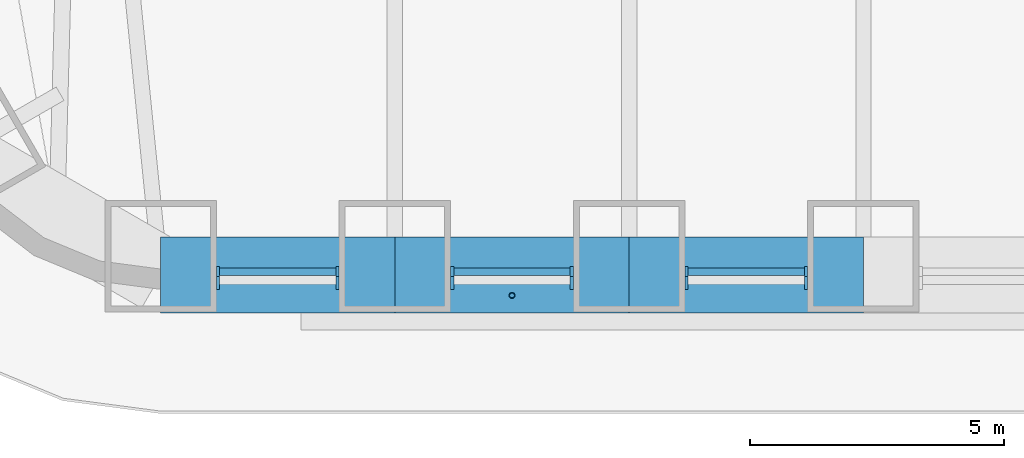
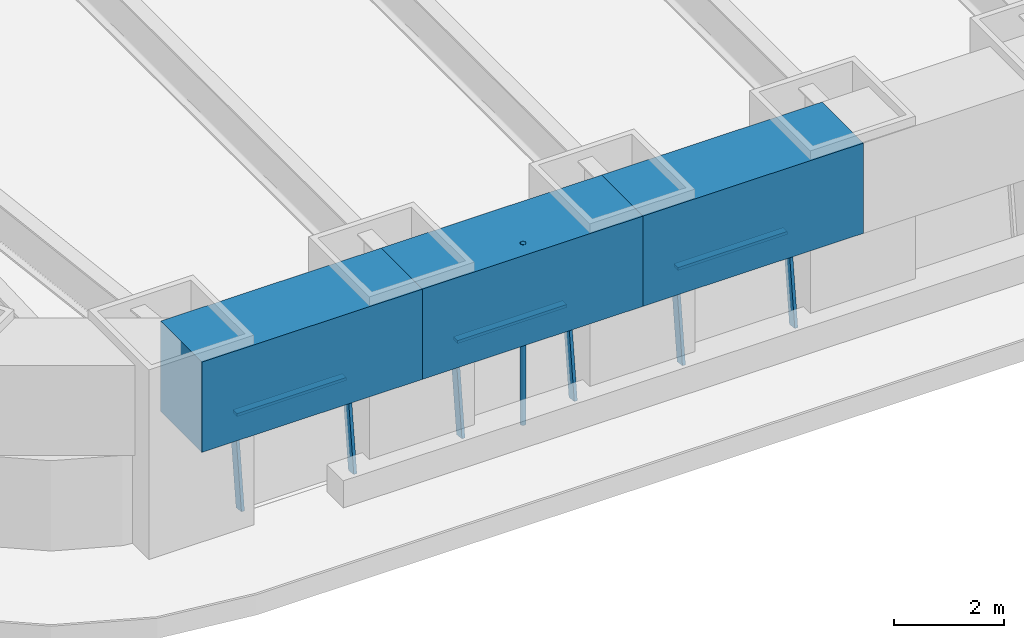
# One storey, part 2 of 20: 10 members, 3 beams, 3 elements without a shape of their own.
"""IFC4 building model written with IfcOpenShell, lengths in metres."""

from ifc_helpers import new_model, si_unit, direction, frame, origin, origin_2d, place, context, subcontext, project, spatial, rectangle, hollow_circle, extrude, material, material_profile, profile_set, type_object, element, aggregate, save


model = new_model("IFC4")

# Units and contexts
model_context = context("Model", 3, precision=1e-05, world=origin(), true_north=direction((0.0, 1.0)))
body_context = subcontext(model_context, "Body", "Model", "MODEL_VIEW")
ifc_project = project(units=[si_unit("LENGTHUNIT", "METRE"), si_unit("AREAUNIT", "SQUARE_METRE"), si_unit("VOLUMEUNIT", "CUBIC_METRE"), si_unit("PLANEANGLEUNIT", "RADIAN"), si_unit("MASSUNIT", "GRAM", prefix="KILO")], contexts=[model_context])

# Site, building, storey
site_placement = place(None, origin())
site = spatial("IfcSite", under=ifc_project, at=site_placement, CompositionType="ELEMENT")
building_placement = place(site_placement, origin())
building = spatial("IfcBuilding", under=site, at=building_placement, Name="Tarfa Lantern Tower", CompositionType="ELEMENT")
storey_placement = place(building_placement, frame((0.0, 0.0, 215.5)))
storey = spatial("IfcBuildingStorey", under=building, at=storey_placement, Name="L48", CompositionType="ELEMENT", Elevation=215.5)

# Curtain wall, members
ifc_material_1 = material(Name="Aluminium framed curtain wall", Category="aluminium")
curtain_wall_type = type_object("IfcCurtainWallType", Name="CW3 CANTED GLAZING HIGH ZONE 2000", PredefinedType="USERDEFINED", material=ifc_material_1)
curtain_wall_1_placement = place(storey_placement, origin())
curtain_wall_1 = element("IfcCurtainWall", 1, at=curtain_wall_1_placement, inside=storey, type_object=curtain_wall_type, Name="CW3 S L48", ObjectType="CURTAIN WALL", PredefinedType="USERDEFINED")
ifc_material_2 = material(Name="Aluminium mullion", Category="aluminium")
ifc_material_profile_1 = material_profile(ifc_material_2, rectangle(XDim=0.06494140625, YDim=0.199951171875, at=origin_2d()), Name="AL MULLION 65x200")
ifc_profile_set_1 = profile_set([ifc_material_profile_1], Name="Aluminium mullion")
member_type_1 = type_object("IfcMemberType", Name="CWM1 MULLION 65x200", PredefinedType="MULLION", material=ifc_profile_set_1)
member_1_placement = place(storey_placement, frame((-12.723876953125, -28.89990234375, 0.0), z_axis=(0.0, 0.124034734589, 0.992277876714), x_axis=(-1.0, 0.0, 0.0)))
member_1 = element("IfcMember", 2, at=member_1_placement, type_object=member_type_1, Name="CW3 mullion 1", PredefinedType="MULLION", context=body_context, shape_type="SweptSolid", body=[
    extrude(rectangle(XDim=0.06494140625, YDim=0.199951171875, at=origin_2d()), origin(), (0.0, 0.0, 1.0), 2.015625),
])
member_2_placement = place(storey_placement, frame((-10.3701171875, -28.89990234375, 0.0), z_axis=(0.0, 0.124034734589, 0.992277876714), x_axis=(-1.0, 0.0, 0.0)))
member_2 = element("IfcMember", 3, at=member_2_placement, type_object=member_type_1, Name="CW3 mullion 2", PredefinedType="MULLION", context=body_context, shape_type="SweptSolid", body=[
    extrude(rectangle(XDim=0.06494140625, YDim=0.199951171875, at=origin_2d()), origin(), (0.0, 0.0, 1.0), 2.015625),
])

curtain_wall_2_placement = place(storey_placement, origin())
curtain_wall_2 = element("IfcCurtainWall", 4, at=curtain_wall_2_placement, inside=storey, type_object=curtain_wall_type, Name="CW3 S L48", ObjectType="CURTAIN WALL", PredefinedType="USERDEFINED")
member_3_placement = place(storey_placement, frame((-8.105224609375, -28.89990234375, 0.0), z_axis=(0.0, 0.124034734589, 0.992277876714), x_axis=(-1.0, 0.0, 0.0)))
member_3 = element("IfcMember", 5, at=member_3_placement, type_object=member_type_1, Name="CW3 mullion 1", PredefinedType="MULLION", context=body_context, shape_type="SweptSolid", body=[
    extrude(rectangle(XDim=0.06494140625, YDim=0.199951171875, at=origin_2d()), origin(), (0.0, 0.0, 1.0), 2.015625),
])
member_4_placement = place(storey_placement, frame((-5.751220703125, -28.89990234375, 0.0), z_axis=(0.0, 0.124034734589, 0.992277876714), x_axis=(-1.0, 0.0, 0.0)))
member_4 = element("IfcMember", 6, at=member_4_placement, type_object=member_type_1, Name="CW3 mullion 2", PredefinedType="MULLION", context=body_context, shape_type="SweptSolid", body=[
    extrude(rectangle(XDim=0.06494140625, YDim=0.199951171875, at=origin_2d()), origin(), (0.0, 0.0, 1.0), 2.015625),
])

curtain_wall_3_placement = place(storey_placement, origin())
curtain_wall_3 = element("IfcCurtainWall", 7, at=curtain_wall_3_placement, inside=storey, type_object=curtain_wall_type, Name="CW3 S L48", ObjectType="CURTAIN WALL", PredefinedType="USERDEFINED")
member_5_placement = place(storey_placement, frame((-3.486328125, -28.89990234375, 0.0), z_axis=(0.0, 0.124034734589, 0.992277876714), x_axis=(-1.0, 0.0, 0.0)))
member_5 = element("IfcMember", 8, at=member_5_placement, type_object=member_type_1, Name="CW3 mullion 1", PredefinedType="MULLION", context=body_context, shape_type="SweptSolid", body=[
    extrude(rectangle(XDim=0.06494140625, YDim=0.199951171875, at=origin_2d()), origin(), (0.0, 0.0, 1.0), 2.015625),
])
member_6_placement = place(storey_placement, frame((-1.132568359375, -28.89990234375, 0.0), z_axis=(0.0, 0.124034734589, 0.992277876714), x_axis=(-1.0, 0.0, 0.0)))
member_6 = element("IfcMember", 9, at=member_6_placement, type_object=member_type_1, Name="CW3 mullion 2", PredefinedType="MULLION", context=body_context, shape_type="SweptSolid", body=[
    extrude(rectangle(XDim=0.06494140625, YDim=0.199951171875, at=origin_2d()), origin(), (0.0, 0.0, 1.0), 2.015625),
])

# Member
ifc_material_3 = material(Name="Aluminium transom", Category="aluminium")
ifc_material_profile_2 = material_profile(ifc_material_3, rectangle(XDim=0.14990234375, YDim=0.06494140625, at=origin_2d()), Name="AL TRANSOM 150x65")
ifc_profile_set_2 = profile_set([ifc_material_profile_2], Name="Aluminium transom")
member_type_2 = type_object("IfcMemberType", Name="CWT1 TRANSOM 150x65", PredefinedType="USERDEFINED", material=ifc_profile_set_2)
member_7_placement = place(storey_placement, frame((-12.69140625, -28.654052734375, 1.967529296875), z_axis=(1.0, 0.0, 0.0), x_axis=(0.0, 1.0, 0.0)))
member_7 = element("IfcMember", 10, at=member_7_placement, type_object=member_type_2, Name="CW3 transom 1.2", ObjectType="TRANSOM", PredefinedType="USERDEFINED", context=body_context, shape_type="SweptSolid", body=[
    extrude(rectangle(XDim=0.14990234375, YDim=0.06494140625, at=origin_2d()), origin(), (0.0, 0.0, 1.0), 2.288818359375),
])

aggregate(curtain_wall_1, [member_1, member_2, member_7])

member_8_placement = place(storey_placement, frame((-8.072509765625, -28.654052734375, 1.967529296875), z_axis=(1.0, 0.0, 0.0), x_axis=(0.0, 1.0, 0.0)))
member_8 = element("IfcMember", 11, at=member_8_placement, type_object=member_type_2, Name="CW3 transom 1.2", ObjectType="TRANSOM", PredefinedType="USERDEFINED", context=body_context, shape_type="SweptSolid", body=[
    extrude(rectangle(XDim=0.14990234375, YDim=0.06494140625, at=origin_2d()), origin(), (0.0, 0.0, 1.0), 2.288818359375),
])

aggregate(curtain_wall_2, [member_3, member_4, member_8])

member_9_placement = place(storey_placement, frame((-3.453857421875, -28.654052734375, 1.967529296875), z_axis=(1.0, 0.0, 0.0), x_axis=(0.0, 1.0, 0.0)))
member_9 = element("IfcMember", 12, at=member_9_placement, type_object=member_type_2, Name="CW3 transom 1.2", ObjectType="TRANSOM", PredefinedType="USERDEFINED", context=body_context, shape_type="SweptSolid", body=[
    extrude(rectangle(XDim=0.14990234375, YDim=0.06494140625, at=origin_2d()), origin(), (0.0, 0.0, 1.0), 2.288818359375),
])

aggregate(curtain_wall_3, [member_5, member_6, member_9])

# Beams
ifc_material_4 = material(Name="Concrete C80/95", Category="concrete")
ifc_material_profile_3 = material_profile(ifc_material_4, rectangle(XDim=1.5, YDim=2.0, at=origin_2d()), Name="RC 1500x2000")
ifc_profile_set_3 = profile_set([ifc_material_profile_3], Name="Concrete C80/95")
beam_type = type_object("IfcBeamType", Name="RB3 RC 1500x2000", PredefinedType="BEAM", material=ifc_profile_set_3)
beam_1_placement = place(storey_placement, frame((-13.8564453125, -28.719970703125, 3.0), z_axis=(1.0, 0.0, 0.0), x_axis=(0.0, 1.0, 0.0)))
element("IfcBeam", 13, at=beam_1_placement, inside=storey, type_object=beam_type, Name="Edge beam S0", PredefinedType="BEAM", context=body_context, shape_type="SweptSolid", body=[
    extrude(rectangle(XDim=1.5, YDim=2.0, at=origin_2d()), origin(), (0.0, 0.0, 1.0), 4.618896484375),
])
beam_2_placement = place(storey_placement, frame((-9.237548828125, -28.719970703125, 3.0), z_axis=(1.0, 0.0, 0.0), x_axis=(0.0, 1.0, 0.0)))
element("IfcBeam", 14, at=beam_2_placement, inside=storey, type_object=beam_type, Name="Edge beam S1", PredefinedType="BEAM", context=body_context, shape_type="SweptSolid", body=[
    extrude(rectangle(XDim=1.5, YDim=2.0, at=origin_2d()), origin(), (0.0, 0.0, 1.0), 4.61865234375),
])
beam_3_placement = place(storey_placement, frame((-4.618896484375, -28.719970703125, 3.0), z_axis=(1.0, 0.0, 0.0), x_axis=(0.0, 1.0, 0.0)))
element("IfcBeam", 15, at=beam_3_placement, inside=storey, type_object=beam_type, Name="Edge beam S2", PredefinedType="BEAM", context=body_context, shape_type="SweptSolid", body=[
    extrude(rectangle(XDim=1.5, YDim=2.0, at=origin_2d()), origin(), (0.0, 0.0, 1.0), 4.618896484375),
])

# Member
ifc_material_5 = material(Name="Steel S355", Category="steel")
ifc_material_profile_4 = material_profile(ifc_material_5, hollow_circle(Radius=0.05712890625, WallThickness=0.00634765625, at=origin_2d()), Name="CHS114.3x6.3")
ifc_profile_set_4 = profile_set([ifc_material_profile_4], Name="Steel S355")
member_type_3 = type_object("IfcMemberType", Name="TR1 GREEN WALL TRELLIS CHS114.3x6.3", PredefinedType="USERDEFINED", material=ifc_profile_set_4)
member_10_placement = place(storey_placement, frame((-6.92822265625, -29.1201171875, 0.0), z_axis=(0.0, 0.0, 1.0), x_axis=(1.0, 0.0, 0.0)))
element("IfcMember", 16, at=member_10_placement, inside=storey, type_object=member_type_3, Name="Trellis post S 1", ObjectType="TRELLIS", PredefinedType="USERDEFINED", context=body_context, shape_type="SweptSolid", body=[
    extrude(hollow_circle(Radius=0.05712890625, WallThickness=0.00634765625, at=origin_2d()), origin(), (0.0, 0.0, 1.0), 4.0),
])

save(model, "model.ifc")
